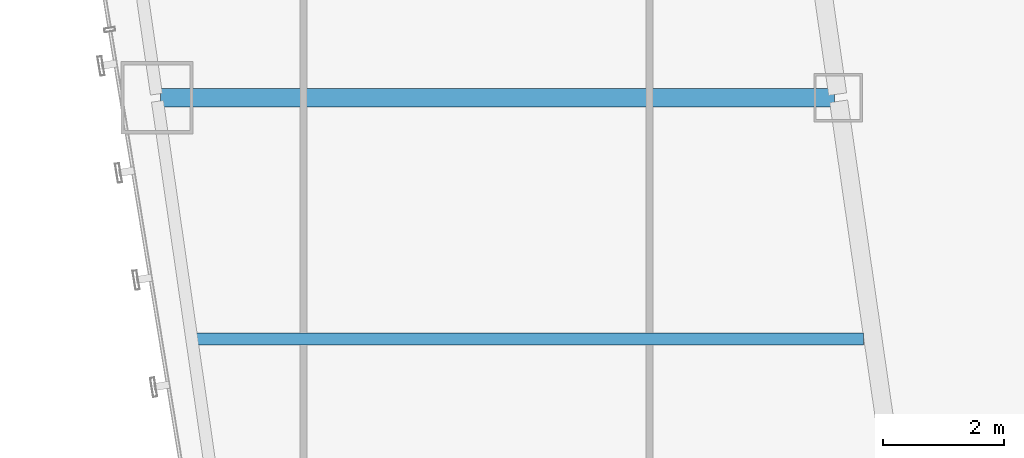
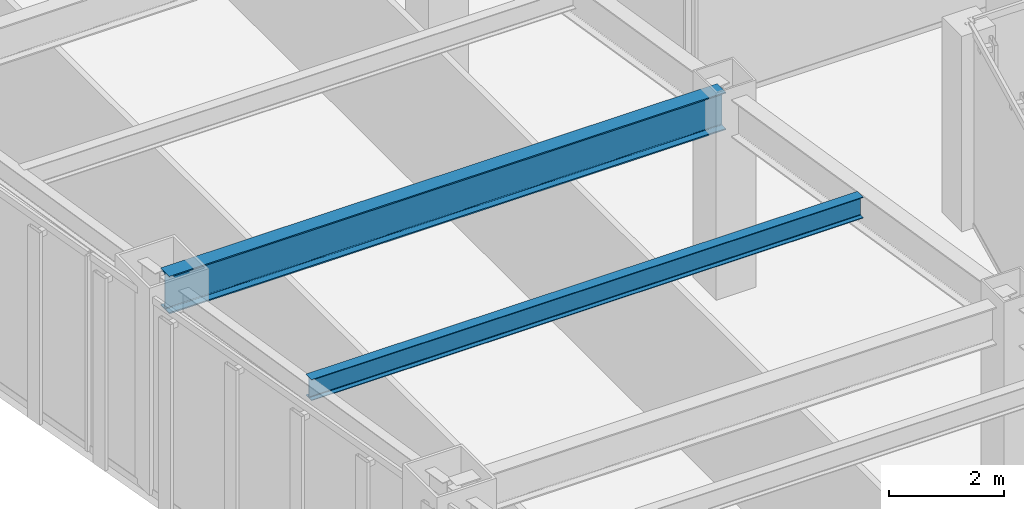
# One storey, part 6 of 47: 2 beams.
"""IFC4 building model written with IfcOpenShell, lengths in metres."""

from ifc_helpers import new_model, si_unit, direction, frame, origin, origin_2d, place, context, subcontext, project, spatial, i_section, extrude, material, material_profile, profile_set, type_object, element, save


model = new_model("IFC4")

# Units and contexts
model_context = context("Model", 3, precision=1e-05, world=origin(), true_north=direction((0.0, 1.0)))
body_context = subcontext(model_context, "Body", "Model", "MODEL_VIEW")
ifc_project = project(units=[si_unit("LENGTHUNIT", "METRE"), si_unit("AREAUNIT", "SQUARE_METRE"), si_unit("VOLUMEUNIT", "CUBIC_METRE"), si_unit("PLANEANGLEUNIT", "RADIAN"), si_unit("MASSUNIT", "GRAM", prefix="KILO")], contexts=[model_context])

# Site, building, storey
site_placement = place(None, origin())
site = spatial("IfcSite", under=ifc_project, at=site_placement, CompositionType="ELEMENT")
building_placement = place(site_placement, origin())
building = spatial("IfcBuilding", under=site, at=building_placement, Name="Saevonmaru Cultural Tower", CompositionType="ELEMENT")
storey_placement = place(building_placement, frame((0.0, 0.0, 42.800048828125)))
storey = spatial("IfcBuildingStorey", under=building, at=storey_placement, Name="L08", CompositionType="ELEMENT", Elevation=42.800048828125)

# Beams
ifc_material_1 = material(Name="Steel SM420", Category="steel")
ifc_material_profile_1 = material_profile(ifc_material_1, i_section(OverallWidth=0.300048828125, OverallDepth=0.800048828125, WebThickness=0.013916015625, FlangeThickness=0.02587890625, FilletRadius=0.028076171875, at=origin_2d()), Name="H-800x300x14x26")
ifc_profile_set_1 = profile_set([ifc_material_profile_1], Name="Steel SM420")
beam_type_1 = type_object("IfcBeamType", Name="BM-G-H800", PredefinedType="BEAM", material=ifc_profile_set_1)
beam_1_placement = place(storey_placement, frame((10.68798828125, 16.0, 3.75), z_axis=(1.0, 0.0, 0.0), x_axis=(0.0, 1.0, 0.0)))
element("IfcBeam", 1, at=beam_1_placement, inside=storey, type_object=beam_type_1, Name="L08 West Wing Transverse Girder 3", PredefinedType="BEAM", context=body_context, shape_type="SweptSolid", body=[
    extrude(i_section(OverallWidth=0.300048828125, OverallDepth=0.800048828125, WebThickness=0.013916015625, FlangeThickness=0.02587890625, FilletRadius=0.028076171875, at=origin_2d()), origin(), (0.0, 0.0, 1.0), 11.179931640625),
])
ifc_material_2 = material(Name="Steel SM355", Category="steel")
ifc_material_profile_2 = material_profile(ifc_material_2, i_section(OverallWidth=0.199951171875, OverallDepth=0.449951171875, WebThickness=0.009033203125, FlangeThickness=0.013916015625, FilletRadius=0.01806640625, at=origin_2d()), Name="H-450x200x9x14")
ifc_profile_set_2 = profile_set([ifc_material_profile_2], Name="Steel SM355")
beam_type_2 = type_object("IfcBeamType", Name="BM-J-H450", PredefinedType="JOIST", material=ifc_profile_set_2)
beam_2_placement = place(storey_placement, frame((11.265380859375, 12.0, 3.925048828125), z_axis=(1.0, 0.0, 0.0), x_axis=(0.0, 1.0, 0.0)))
element("IfcBeam", 2, at=beam_2_placement, inside=storey, type_object=beam_type_2, Name="L08 West Wing Floor Joist 2", PredefinedType="JOIST", context=body_context, shape_type="SweptSolid", body=[
    extrude(i_section(OverallWidth=0.199951171875, OverallDepth=0.449951171875, WebThickness=0.009033203125, FlangeThickness=0.013916015625, FilletRadius=0.01806640625, at=origin_2d()), origin(), (0.0, 0.0, 1.0), 11.08203125),
])

save(model, "model.ifc")
